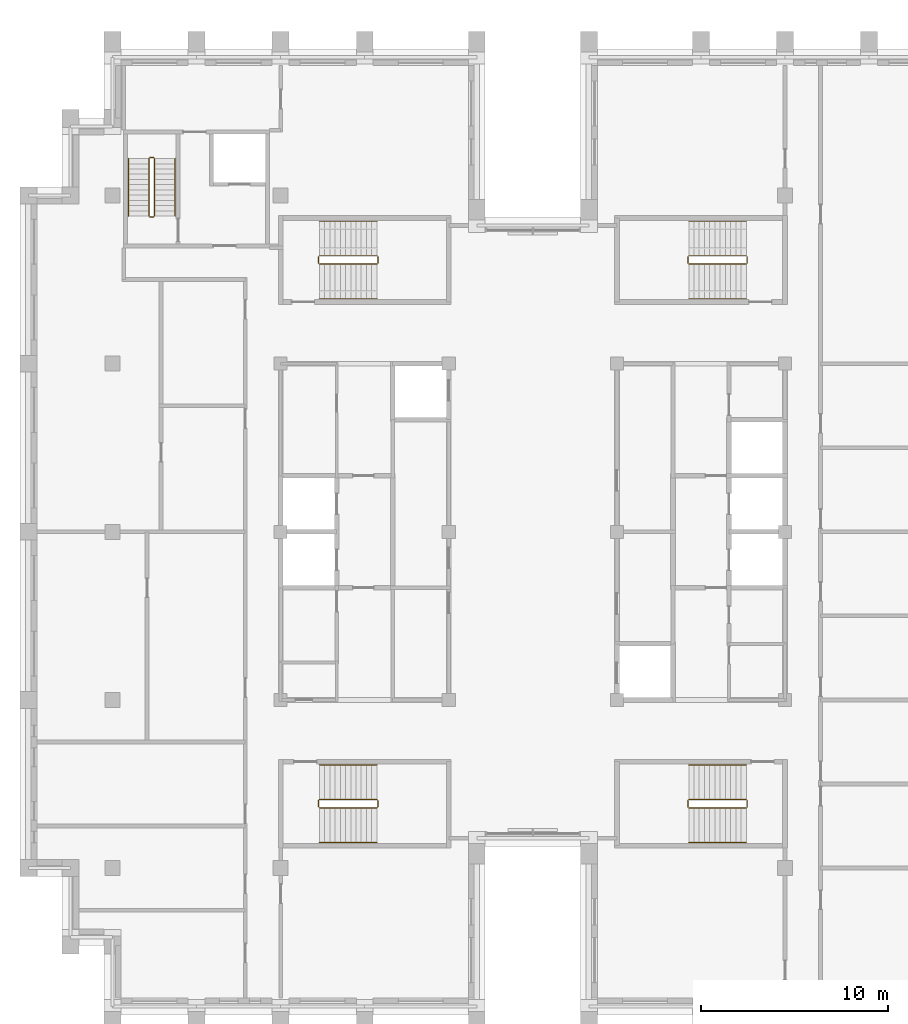
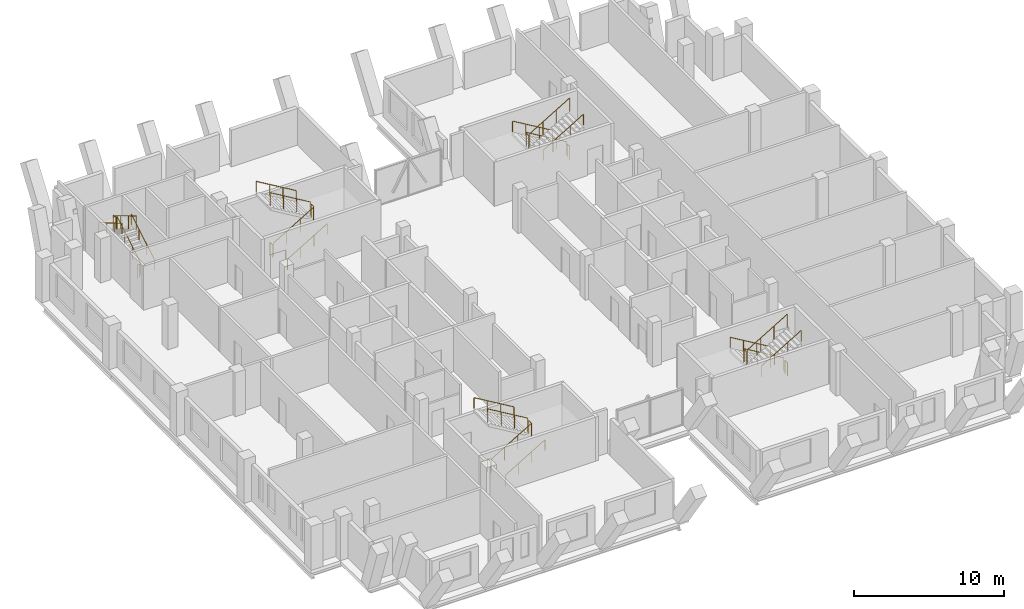
# One storey, part 13 of 13: 5 railings.
"""IFC4 building model written with IfcOpenShell, lengths in metres."""

from ifc_helpers import new_model, si_unit, direction, frame, origin, origin_2d, place, context, subcontext, project, spatial, circle, extrude, material, type_object, element, save


model = new_model("IFC4")

# Units and contexts
model_context = context("Model", 3, precision=1e-05, world=origin(), true_north=direction((0.0, 1.0)))
body_context = subcontext(model_context, "Body", "Model", "MODEL_VIEW")
ifc_project = project(units=[si_unit("LENGTHUNIT", "METRE"), si_unit("AREAUNIT", "SQUARE_METRE"), si_unit("VOLUMEUNIT", "CUBIC_METRE"), si_unit("PLANEANGLEUNIT", "RADIAN"), si_unit("MASSUNIT", "GRAM", prefix="KILO")], contexts=[model_context])

# Site, building, storey
site_placement = place(None, origin())
site = spatial("IfcSite", under=ifc_project, at=site_placement, CompositionType="ELEMENT")
building_placement = place(site_placement, origin())
building = spatial("IfcBuilding", under=site, at=building_placement, Name="Corbelhall Arena Tower", CompositionType="ELEMENT")
storey_placement = place(building_placement, frame((0.0, 0.0, 346.0)))
storey = spatial("IfcBuildingStorey", under=building, at=storey_placement, Name="L76", CompositionType="ELEMENT", Elevation=346.0)

# Railings
ifc_material = material(Name="Steel ASTM A500 Gr C", Category="steel")
railing_type = type_object("IfcRailingType", Name="IN-GD-1100", PredefinedType="GUARDRAIL", material=ifc_material)
railing_1_placement = place(storey_placement, frame((-11.425048828125, 14.324951171875, 0.166748046875)))
element("IfcRailing", 1, at=railing_1_placement, inside=storey, type_object=railing_type, Name="L76 ST1 stair guards and handrails", PredefinedType="GUARDRAIL", context=body_context, shape_type="SweptSolid", body=[
    extrude(circle(Radius=0.02392578125, at=origin_2d()), frame((0.0, 0.0, 1.076171875), z_axis=(0.859308565015, 0.0, 0.511457515432), x_axis=(0.0, 1.0, 0.0)), (0.0, 0.0, 1.0), 3.58447265625),
    extrude(circle(Radius=0.02392578125, at=origin_2d()), frame((3.130126953125, 0.050048828125, 2.9091796875), z_axis=(0.0, 1.0, 0.0), x_axis=(-1.0, 0.0, 0.0)), (0.0, 0.0, 1.0), 0.35009765625),
    extrude(circle(Radius=0.02392578125, at=origin_2d()), frame((3.080078125, 0.449951171875, 3.076171875), z_axis=(-0.859308565015, 0.0, 0.511457515432), x_axis=(0.0, -1.0, 0.0)), (0.0, 0.0, 1.0), 3.58447265625),
    extrude(circle(Radius=0.02392578125, at=origin_2d()), frame((-0.050048828125, 0.050048828125, 0.9091796875), z_axis=(0.0, 1.0, 0.0), x_axis=(-1.0, 0.0, 0.0)), (0.0, 0.0, 1.0), 0.35009765625),
    extrude(circle(Radius=0.02392578125, at=origin_2d()), frame((0.0, -1.849853515625, 0.8759765625), z_axis=(0.859308565015, 0.0, 0.511457515432), x_axis=(0.0, 1.0, 0.0)), (0.0, 0.0, 1.0), 3.58447265625),
    extrude(circle(Radius=0.02392578125, at=origin_2d()), frame((3.080078125, 2.300048828125, 2.8759765625), z_axis=(-0.859308565015, 0.0, 0.511457515432), x_axis=(0.0, -1.0, 0.0)), (0.0, 0.0, 1.0), 3.58447265625),
    extrude(circle(Radius=0.02099609375, at=origin_2d()), origin(), (0.0, 0.0, 1.0), 1.052001953125),
    extrude(circle(Radius=0.02099609375, at=origin_2d()), frame((1.026611328125, 0.0, 0.611083984375)), (0.0, 0.0, 1.0), 1.052001953125),
    extrude(circle(Radius=0.02099609375, at=origin_2d()), frame((2.053466796875, 0.0, 1.22216796875)), (0.0, 0.0, 1.0), 1.052001953125),
    extrude(circle(Radius=0.02099609375, at=origin_2d()), frame((3.080078125, 0.0, 1.833251953125)), (0.0, 0.0, 1.0), 1.052001953125),
    extrude(circle(Radius=0.02099609375, at=origin_2d()), frame((3.130126953125, 0.050048828125, 1.833251953125)), (0.0, 0.0, 1.0), 1.052001953125),
    extrude(circle(Radius=0.02099609375, at=origin_2d()), frame((3.130126953125, 0.400146484375, 1.833251953125)), (0.0, 0.0, 1.0), 1.052001953125),
    extrude(circle(Radius=0.02099609375, at=origin_2d()), frame((3.080078125, 0.449951171875, 2.0)), (0.0, 0.0, 1.0), 1.052001953125),
    extrude(circle(Radius=0.02099609375, at=origin_2d()), frame((2.053466796875, 0.449951171875, 2.611083984375)), (0.0, 0.0, 1.0), 1.052001953125),
    extrude(circle(Radius=0.02099609375, at=origin_2d()), frame((1.026611328125, 0.449951171875, 3.22216796875)), (0.0, 0.0, 1.0), 1.052001953125),
    extrude(circle(Radius=0.02099609375, at=origin_2d()), frame((0.0, 0.449951171875, 3.833251953125)), (0.0, 0.0, 1.0), 1.052001953125),
    extrude(circle(Radius=0.02099609375, at=origin_2d()), frame((-0.050048828125, 0.050048828125, -0.166748046875)), (0.0, 0.0, 1.0), 1.052001953125),
    extrude(circle(Radius=0.02099609375, at=origin_2d()), frame((-0.050048828125, 0.400146484375, -0.166748046875)), (0.0, 0.0, 1.0), 1.052001953125),
    extrude(circle(Radius=0.02099609375, at=origin_2d()), frame((0.0, -1.849853515625, 0.0)), (0.0, 0.0, 1.0), 0.851806640625),
    extrude(circle(Radius=0.02099609375, at=origin_2d()), frame((1.026611328125, -1.849853515625, 0.611083984375)), (0.0, 0.0, 1.0), 0.851806640625),
    extrude(circle(Radius=0.02099609375, at=origin_2d()), frame((2.053466796875, -1.849853515625, 1.22216796875)), (0.0, 0.0, 1.0), 0.851806640625),
    extrude(circle(Radius=0.02099609375, at=origin_2d()), frame((3.080078125, -1.849853515625, 1.833251953125)), (0.0, 0.0, 1.0), 0.851806640625),
    extrude(circle(Radius=0.02099609375, at=origin_2d()), frame((3.080078125, 2.300048828125, 2.0)), (0.0, 0.0, 1.0), 0.851806640625),
    extrude(circle(Radius=0.02099609375, at=origin_2d()), frame((2.053466796875, 2.300048828125, 2.611083984375)), (0.0, 0.0, 1.0), 0.851806640625),
    extrude(circle(Radius=0.02099609375, at=origin_2d()), frame((1.026611328125, 2.300048828125, 3.22216796875)), (0.0, 0.0, 1.0), 0.851806640625),
    extrude(circle(Radius=0.02099609375, at=origin_2d()), frame((0.0, 2.300048828125, 3.833251953125)), (0.0, 0.0, 1.0), 0.851806640625),
])
railing_2_placement = place(storey_placement, frame((-11.425048828125, -14.77490234375, 0.166748046875)))
element("IfcRailing", 2, at=railing_2_placement, inside=storey, type_object=railing_type, Name="L76 ST2 stair guards and handrails", PredefinedType="GUARDRAIL", context=body_context, shape_type="SweptSolid", body=[
    extrude(circle(Radius=0.02392578125, at=origin_2d()), frame((0.0, 0.0, 1.076171875), z_axis=(0.859308565015, 0.0, 0.511457515432), x_axis=(0.0, 1.0, 0.0)), (0.0, 0.0, 1.0), 3.58447265625),
    extrude(circle(Radius=0.02392578125, at=origin_2d()), frame((3.130126953125, 0.0498046875, 2.9091796875), z_axis=(0.0, 1.0, 0.0), x_axis=(-1.0, 0.0, 0.0)), (0.0, 0.0, 1.0), 0.35009765625),
    extrude(circle(Radius=0.02392578125, at=origin_2d()), frame((3.080078125, 0.449951171875, 3.076171875), z_axis=(-0.859308565015, 0.0, 0.511457515432), x_axis=(0.0, -1.0, 0.0)), (0.0, 0.0, 1.0), 3.58447265625),
    extrude(circle(Radius=0.02392578125, at=origin_2d()), frame((-0.050048828125, 0.0498046875, 0.9091796875), z_axis=(0.0, 1.0, 0.0), x_axis=(-1.0, 0.0, 0.0)), (0.0, 0.0, 1.0), 0.35009765625),
    extrude(circle(Radius=0.02392578125, at=origin_2d()), frame((0.0, -1.85009765625, 0.8759765625), z_axis=(0.859308565015, 0.0, 0.511457515432), x_axis=(0.0, 1.0, 0.0)), (0.0, 0.0, 1.0), 3.58447265625),
    extrude(circle(Radius=0.02392578125, at=origin_2d()), frame((3.080078125, 2.2998046875, 2.8759765625), z_axis=(-0.859308565015, 0.0, 0.511457515432), x_axis=(0.0, -1.0, 0.0)), (0.0, 0.0, 1.0), 3.58447265625),
    extrude(circle(Radius=0.02099609375, at=origin_2d()), origin(), (0.0, 0.0, 1.0), 1.052001953125),
    extrude(circle(Radius=0.02099609375, at=origin_2d()), frame((1.026611328125, 0.0, 0.611083984375)), (0.0, 0.0, 1.0), 1.052001953125),
    extrude(circle(Radius=0.02099609375, at=origin_2d()), frame((2.053466796875, 0.0, 1.22216796875)), (0.0, 0.0, 1.0), 1.052001953125),
    extrude(circle(Radius=0.02099609375, at=origin_2d()), frame((3.080078125, 0.0, 1.833251953125)), (0.0, 0.0, 1.0), 1.052001953125),
    extrude(circle(Radius=0.02099609375, at=origin_2d()), frame((3.130126953125, 0.0498046875, 1.833251953125)), (0.0, 0.0, 1.0), 1.052001953125),
    extrude(circle(Radius=0.02099609375, at=origin_2d()), frame((3.130126953125, 0.39990234375, 1.833251953125)), (0.0, 0.0, 1.0), 1.052001953125),
    extrude(circle(Radius=0.02099609375, at=origin_2d()), frame((3.080078125, 0.449951171875, 2.0)), (0.0, 0.0, 1.0), 1.052001953125),
    extrude(circle(Radius=0.02099609375, at=origin_2d()), frame((2.053466796875, 0.449951171875, 2.611083984375)), (0.0, 0.0, 1.0), 1.052001953125),
    extrude(circle(Radius=0.02099609375, at=origin_2d()), frame((1.026611328125, 0.449951171875, 3.22216796875)), (0.0, 0.0, 1.0), 1.052001953125),
    extrude(circle(Radius=0.02099609375, at=origin_2d()), frame((0.0, 0.449951171875, 3.833251953125)), (0.0, 0.0, 1.0), 1.052001953125),
    extrude(circle(Radius=0.02099609375, at=origin_2d()), frame((-0.050048828125, 0.0498046875, -0.166748046875)), (0.0, 0.0, 1.0), 1.052001953125),
    extrude(circle(Radius=0.02099609375, at=origin_2d()), frame((-0.050048828125, 0.39990234375, -0.166748046875)), (0.0, 0.0, 1.0), 1.052001953125),
    extrude(circle(Radius=0.02099609375, at=origin_2d()), frame((0.0, -1.85009765625, 0.0)), (0.0, 0.0, 1.0), 0.851806640625),
    extrude(circle(Radius=0.02099609375, at=origin_2d()), frame((1.026611328125, -1.85009765625, 0.611083984375)), (0.0, 0.0, 1.0), 0.851806640625),
    extrude(circle(Radius=0.02099609375, at=origin_2d()), frame((2.053466796875, -1.85009765625, 1.22216796875)), (0.0, 0.0, 1.0), 0.851806640625),
    extrude(circle(Radius=0.02099609375, at=origin_2d()), frame((3.080078125, -1.85009765625, 1.833251953125)), (0.0, 0.0, 1.0), 0.851806640625),
    extrude(circle(Radius=0.02099609375, at=origin_2d()), frame((3.080078125, 2.2998046875, 2.0)), (0.0, 0.0, 1.0), 0.851806640625),
    extrude(circle(Radius=0.02099609375, at=origin_2d()), frame((2.053466796875, 2.2998046875, 2.611083984375)), (0.0, 0.0, 1.0), 0.851806640625),
    extrude(circle(Radius=0.02099609375, at=origin_2d()), frame((1.026611328125, 2.2998046875, 3.22216796875)), (0.0, 0.0, 1.0), 0.851806640625),
    extrude(circle(Radius=0.02099609375, at=origin_2d()), frame((0.0, 2.2998046875, 3.833251953125)), (0.0, 0.0, 1.0), 0.851806640625),
])
railing_3_placement = place(storey_placement, frame((11.425048828125, 14.77490234375, 0.166748046875)))
element("IfcRailing", 3, at=railing_3_placement, inside=storey, type_object=railing_type, Name="L76 ST3 stair guards and handrails", PredefinedType="GUARDRAIL", context=body_context, shape_type="SweptSolid", body=[
    extrude(circle(Radius=0.02392578125, at=origin_2d()), frame((0.0, 0.0, 1.076171875), z_axis=(-0.859308565015, 0.0, 0.511457515432), x_axis=(0.0, -1.0, 0.0)), (0.0, 0.0, 1.0), 3.58447265625),
    extrude(circle(Radius=0.02392578125, at=origin_2d()), frame((-3.130126953125, -0.0498046875, 2.9091796875), z_axis=(0.0, -1.0, 0.0), x_axis=(1.0, 0.0, 0.0)), (0.0, 0.0, 1.0), 0.35009765625),
    extrude(circle(Radius=0.02392578125, at=origin_2d()), frame((-3.080078125, -0.449951171875, 3.076171875), z_axis=(0.859308565015, 0.0, 0.511457515432), x_axis=(0.0, 1.0, 0.0)), (0.0, 0.0, 1.0), 3.58447265625),
    extrude(circle(Radius=0.02392578125, at=origin_2d()), frame((0.050048828125, -0.0498046875, 0.9091796875), z_axis=(0.0, -1.0, 0.0), x_axis=(1.0, 0.0, 0.0)), (0.0, 0.0, 1.0), 0.35009765625),
    extrude(circle(Radius=0.02392578125, at=origin_2d()), frame((0.0, 1.85009765625, 0.8759765625), z_axis=(-0.859308565015, 0.0, 0.511457515432), x_axis=(0.0, -1.0, 0.0)), (0.0, 0.0, 1.0), 3.58447265625),
    extrude(circle(Radius=0.02392578125, at=origin_2d()), frame((-3.080078125, -2.2998046875, 2.8759765625), z_axis=(0.859308565015, 0.0, 0.511457515432), x_axis=(0.0, 1.0, 0.0)), (0.0, 0.0, 1.0), 3.58447265625),
    extrude(circle(Radius=0.02099609375, at=origin_2d()), origin(), (0.0, 0.0, 1.0), 1.052001953125),
    extrude(circle(Radius=0.02099609375, at=origin_2d()), frame((-1.026611328125, 0.0, 0.611083984375)), (0.0, 0.0, 1.0), 1.052001953125),
    extrude(circle(Radius=0.02099609375, at=origin_2d()), frame((-2.053466796875, 0.0, 1.22216796875)), (0.0, 0.0, 1.0), 1.052001953125),
    extrude(circle(Radius=0.02099609375, at=origin_2d()), frame((-3.080078125, 0.0, 1.833251953125)), (0.0, 0.0, 1.0), 1.052001953125),
    extrude(circle(Radius=0.02099609375, at=origin_2d()), frame((-3.130126953125, -0.0498046875, 1.833251953125)), (0.0, 0.0, 1.0), 1.052001953125),
    extrude(circle(Radius=0.02099609375, at=origin_2d()), frame((-3.130126953125, -0.39990234375, 1.833251953125)), (0.0, 0.0, 1.0), 1.052001953125),
    extrude(circle(Radius=0.02099609375, at=origin_2d()), frame((-3.080078125, -0.449951171875, 2.0)), (0.0, 0.0, 1.0), 1.052001953125),
    extrude(circle(Radius=0.02099609375, at=origin_2d()), frame((-2.053466796875, -0.449951171875, 2.611083984375)), (0.0, 0.0, 1.0), 1.052001953125),
    extrude(circle(Radius=0.02099609375, at=origin_2d()), frame((-1.026611328125, -0.449951171875, 3.22216796875)), (0.0, 0.0, 1.0), 1.052001953125),
    extrude(circle(Radius=0.02099609375, at=origin_2d()), frame((0.0, -0.449951171875, 3.833251953125)), (0.0, 0.0, 1.0), 1.052001953125),
    extrude(circle(Radius=0.02099609375, at=origin_2d()), frame((0.050048828125, -0.0498046875, -0.166748046875)), (0.0, 0.0, 1.0), 1.052001953125),
    extrude(circle(Radius=0.02099609375, at=origin_2d()), frame((0.050048828125, -0.39990234375, -0.166748046875)), (0.0, 0.0, 1.0), 1.052001953125),
    extrude(circle(Radius=0.02099609375, at=origin_2d()), frame((0.0, 1.85009765625, 0.0)), (0.0, 0.0, 1.0), 0.851806640625),
    extrude(circle(Radius=0.02099609375, at=origin_2d()), frame((-1.026611328125, 1.85009765625, 0.611083984375)), (0.0, 0.0, 1.0), 0.851806640625),
    extrude(circle(Radius=0.02099609375, at=origin_2d()), frame((-2.053466796875, 1.85009765625, 1.22216796875)), (0.0, 0.0, 1.0), 0.851806640625),
    extrude(circle(Radius=0.02099609375, at=origin_2d()), frame((-3.080078125, 1.85009765625, 1.833251953125)), (0.0, 0.0, 1.0), 0.851806640625),
    extrude(circle(Radius=0.02099609375, at=origin_2d()), frame((-3.080078125, -2.2998046875, 2.0)), (0.0, 0.0, 1.0), 0.851806640625),
    extrude(circle(Radius=0.02099609375, at=origin_2d()), frame((-2.053466796875, -2.2998046875, 2.611083984375)), (0.0, 0.0, 1.0), 0.851806640625),
    extrude(circle(Radius=0.02099609375, at=origin_2d()), frame((-1.026611328125, -2.2998046875, 3.22216796875)), (0.0, 0.0, 1.0), 0.851806640625),
    extrude(circle(Radius=0.02099609375, at=origin_2d()), frame((0.0, -2.2998046875, 3.833251953125)), (0.0, 0.0, 1.0), 0.851806640625),
])
railing_4_placement = place(storey_placement, frame((11.425048828125, -14.324951171875, 0.166748046875)))
element("IfcRailing", 4, at=railing_4_placement, inside=storey, type_object=railing_type, Name="L76 ST4 stair guards and handrails", PredefinedType="GUARDRAIL", context=body_context, shape_type="SweptSolid", body=[
    extrude(circle(Radius=0.02392578125, at=origin_2d()), frame((0.0, 0.0, 1.076171875), z_axis=(-0.859308565015, 0.0, 0.511457515432), x_axis=(0.0, -1.0, 0.0)), (0.0, 0.0, 1.0), 3.58447265625),
    extrude(circle(Radius=0.02392578125, at=origin_2d()), frame((-3.130126953125, -0.050048828125, 2.9091796875), z_axis=(0.0, -1.0, 0.0), x_axis=(1.0, 0.0, 0.0)), (0.0, 0.0, 1.0), 0.35009765625),
    extrude(circle(Radius=0.02392578125, at=origin_2d()), frame((-3.080078125, -0.449951171875, 3.076171875), z_axis=(0.859308565015, 0.0, 0.511457515432), x_axis=(0.0, 1.0, 0.0)), (0.0, 0.0, 1.0), 3.58447265625),
    extrude(circle(Radius=0.02392578125, at=origin_2d()), frame((0.050048828125, -0.050048828125, 0.9091796875), z_axis=(0.0, -1.0, 0.0), x_axis=(1.0, 0.0, 0.0)), (0.0, 0.0, 1.0), 0.35009765625),
    extrude(circle(Radius=0.02392578125, at=origin_2d()), frame((0.0, 1.849853515625, 0.8759765625), z_axis=(-0.859308565015, 0.0, 0.511457515432), x_axis=(0.0, -1.0, 0.0)), (0.0, 0.0, 1.0), 3.58447265625),
    extrude(circle(Radius=0.02392578125, at=origin_2d()), frame((-3.080078125, -2.300048828125, 2.8759765625), z_axis=(0.859308565015, 0.0, 0.511457515432), x_axis=(0.0, 1.0, 0.0)), (0.0, 0.0, 1.0), 3.58447265625),
    extrude(circle(Radius=0.02099609375, at=origin_2d()), origin(), (0.0, 0.0, 1.0), 1.052001953125),
    extrude(circle(Radius=0.02099609375, at=origin_2d()), frame((-1.026611328125, 0.0, 0.611083984375)), (0.0, 0.0, 1.0), 1.052001953125),
    extrude(circle(Radius=0.02099609375, at=origin_2d()), frame((-2.053466796875, 0.0, 1.22216796875)), (0.0, 0.0, 1.0), 1.052001953125),
    extrude(circle(Radius=0.02099609375, at=origin_2d()), frame((-3.080078125, 0.0, 1.833251953125)), (0.0, 0.0, 1.0), 1.052001953125),
    extrude(circle(Radius=0.02099609375, at=origin_2d()), frame((-3.130126953125, -0.050048828125, 1.833251953125)), (0.0, 0.0, 1.0), 1.052001953125),
    extrude(circle(Radius=0.02099609375, at=origin_2d()), frame((-3.130126953125, -0.400146484375, 1.833251953125)), (0.0, 0.0, 1.0), 1.052001953125),
    extrude(circle(Radius=0.02099609375, at=origin_2d()), frame((-3.080078125, -0.449951171875, 2.0)), (0.0, 0.0, 1.0), 1.052001953125),
    extrude(circle(Radius=0.02099609375, at=origin_2d()), frame((-2.053466796875, -0.449951171875, 2.611083984375)), (0.0, 0.0, 1.0), 1.052001953125),
    extrude(circle(Radius=0.02099609375, at=origin_2d()), frame((-1.026611328125, -0.449951171875, 3.22216796875)), (0.0, 0.0, 1.0), 1.052001953125),
    extrude(circle(Radius=0.02099609375, at=origin_2d()), frame((0.0, -0.449951171875, 3.833251953125)), (0.0, 0.0, 1.0), 1.052001953125),
    extrude(circle(Radius=0.02099609375, at=origin_2d()), frame((0.050048828125, -0.050048828125, -0.166748046875)), (0.0, 0.0, 1.0), 1.052001953125),
    extrude(circle(Radius=0.02099609375, at=origin_2d()), frame((0.050048828125, -0.400146484375, -0.166748046875)), (0.0, 0.0, 1.0), 1.052001953125),
    extrude(circle(Radius=0.02099609375, at=origin_2d()), frame((0.0, 1.849853515625, 0.0)), (0.0, 0.0, 1.0), 0.851806640625),
    extrude(circle(Radius=0.02099609375, at=origin_2d()), frame((-1.026611328125, 1.849853515625, 0.611083984375)), (0.0, 0.0, 1.0), 0.851806640625),
    extrude(circle(Radius=0.02099609375, at=origin_2d()), frame((-2.053466796875, 1.849853515625, 1.22216796875)), (0.0, 0.0, 1.0), 0.851806640625),
    extrude(circle(Radius=0.02099609375, at=origin_2d()), frame((-3.080078125, 1.849853515625, 1.833251953125)), (0.0, 0.0, 1.0), 0.851806640625),
    extrude(circle(Radius=0.02099609375, at=origin_2d()), frame((-3.080078125, -2.300048828125, 2.0)), (0.0, 0.0, 1.0), 0.851806640625),
    extrude(circle(Radius=0.02099609375, at=origin_2d()), frame((-2.053466796875, -2.300048828125, 2.611083984375)), (0.0, 0.0, 1.0), 0.851806640625),
    extrude(circle(Radius=0.02099609375, at=origin_2d()), frame((-1.026611328125, -2.300048828125, 3.22216796875)), (0.0, 0.0, 1.0), 0.851806640625),
    extrude(circle(Radius=0.02099609375, at=origin_2d()), frame((0.0, -2.300048828125, 3.833251953125)), (0.0, 0.0, 1.0), 0.851806640625),
])
railing_5_placement = place(storey_placement, frame((-20.2451171875, 16.89990234375, 0.166748046875)))
element("IfcRailing", 5, at=railing_5_placement, inside=storey, type_object=railing_type, Name="L76 ST5 stair guards and handrails", PredefinedType="GUARDRAIL", context=body_context, shape_type="SweptSolid", body=[
    extrude(circle(Radius=0.02392578125, at=origin_2d()), frame((0.0, 0.0, 1.076171875), z_axis=(0.0, 0.859308565015, 0.511457515432), x_axis=(-1.0, 0.0, 0.0)), (0.0, 0.0, 1.0), 3.58447265625),
    extrude(circle(Radius=0.02392578125, at=origin_2d()), frame((-0.0498046875, 3.130126953125, 2.9091796875), z_axis=(-1.0, 0.0, 0.0), x_axis=(0.0, -1.0, 0.0)), (0.0, 0.0, 1.0), 0.2001953125),
    extrude(circle(Radius=0.02392578125, at=origin_2d()), frame((-0.2998046875, 3.080078125, 3.076171875), z_axis=(0.0, -0.859308565015, 0.511457515432), x_axis=(1.0, 0.0, 0.0)), (0.0, 0.0, 1.0), 3.58447265625),
    extrude(circle(Radius=0.02392578125, at=origin_2d()), frame((-0.0498046875, -0.0498046875, 0.9091796875), z_axis=(-1.0, 0.0, 0.0), x_axis=(0.0, -1.0, 0.0)), (0.0, 0.0, 1.0), 0.2001953125),
    extrude(circle(Radius=0.02392578125, at=origin_2d()), frame((1.10009765625, 0.0, 0.8759765625), z_axis=(0.0, 0.859308565015, 0.511457515432), x_axis=(-1.0, 0.0, 0.0)), (0.0, 0.0, 1.0), 3.58447265625),
    extrude(circle(Radius=0.02392578125, at=origin_2d()), frame((-1.39990234375, 3.080078125, 2.8759765625), z_axis=(0.0, -0.859308565015, 0.511457515432), x_axis=(1.0, 0.0, 0.0)), (0.0, 0.0, 1.0), 3.58447265625),
    extrude(circle(Radius=0.02099609375, at=origin_2d()), origin(), (0.0, 0.0, 1.0), 1.052001953125),
    extrude(circle(Radius=0.02099609375, at=origin_2d()), frame((0.0, 1.026611328125, 0.611083984375)), (0.0, 0.0, 1.0), 1.052001953125),
    extrude(circle(Radius=0.02099609375, at=origin_2d()), frame((0.0, 2.053466796875, 1.22216796875)), (0.0, 0.0, 1.0), 1.052001953125),
    extrude(circle(Radius=0.02099609375, at=origin_2d()), frame((0.0, 3.080078125, 1.833251953125)), (0.0, 0.0, 1.0), 1.052001953125),
    extrude(circle(Radius=0.02099609375, at=origin_2d()), frame((-0.0498046875, 3.130126953125, 1.833251953125)), (0.0, 0.0, 1.0), 1.052001953125),
    extrude(circle(Radius=0.02099609375, at=origin_2d()), frame((-0.25, 3.130126953125, 1.833251953125)), (0.0, 0.0, 1.0), 1.052001953125),
    extrude(circle(Radius=0.02099609375, at=origin_2d()), frame((-0.2998046875, 3.080078125, 2.0)), (0.0, 0.0, 1.0), 1.052001953125),
    extrude(circle(Radius=0.02099609375, at=origin_2d()), frame((-0.2998046875, 2.053466796875, 2.611083984375)), (0.0, 0.0, 1.0), 1.052001953125),
    extrude(circle(Radius=0.02099609375, at=origin_2d()), frame((-0.2998046875, 1.026611328125, 3.22216796875)), (0.0, 0.0, 1.0), 1.052001953125),
    extrude(circle(Radius=0.02099609375, at=origin_2d()), frame((-0.2998046875, 0.0, 3.833251953125)), (0.0, 0.0, 1.0), 1.052001953125),
    extrude(circle(Radius=0.02099609375, at=origin_2d()), frame((-0.0498046875, -0.0498046875, -0.166748046875)), (0.0, 0.0, 1.0), 1.052001953125),
    extrude(circle(Radius=0.02099609375, at=origin_2d()), frame((-0.25, -0.0498046875, -0.166748046875)), (0.0, 0.0, 1.0), 1.052001953125),
    extrude(circle(Radius=0.02099609375, at=origin_2d()), frame((1.10009765625, 0.0, 0.0)), (0.0, 0.0, 1.0), 0.851806640625),
    extrude(circle(Radius=0.02099609375, at=origin_2d()), frame((1.10009765625, 1.026611328125, 0.611083984375)), (0.0, 0.0, 1.0), 0.851806640625),
    extrude(circle(Radius=0.02099609375, at=origin_2d()), frame((1.10009765625, 2.053466796875, 1.22216796875)), (0.0, 0.0, 1.0), 0.851806640625),
    extrude(circle(Radius=0.02099609375, at=origin_2d()), frame((1.10009765625, 3.080078125, 1.833251953125)), (0.0, 0.0, 1.0), 0.851806640625),
    extrude(circle(Radius=0.02099609375, at=origin_2d()), frame((-1.39990234375, 3.080078125, 2.0)), (0.0, 0.0, 1.0), 0.851806640625),
    extrude(circle(Radius=0.02099609375, at=origin_2d()), frame((-1.39990234375, 2.053466796875, 2.611083984375)), (0.0, 0.0, 1.0), 0.851806640625),
    extrude(circle(Radius=0.02099609375, at=origin_2d()), frame((-1.39990234375, 1.026611328125, 3.22216796875)), (0.0, 0.0, 1.0), 0.851806640625),
    extrude(circle(Radius=0.02099609375, at=origin_2d()), frame((-1.39990234375, 0.0, 3.833251953125)), (0.0, 0.0, 1.0), 0.851806640625),
])

save(model, "model.ifc")
